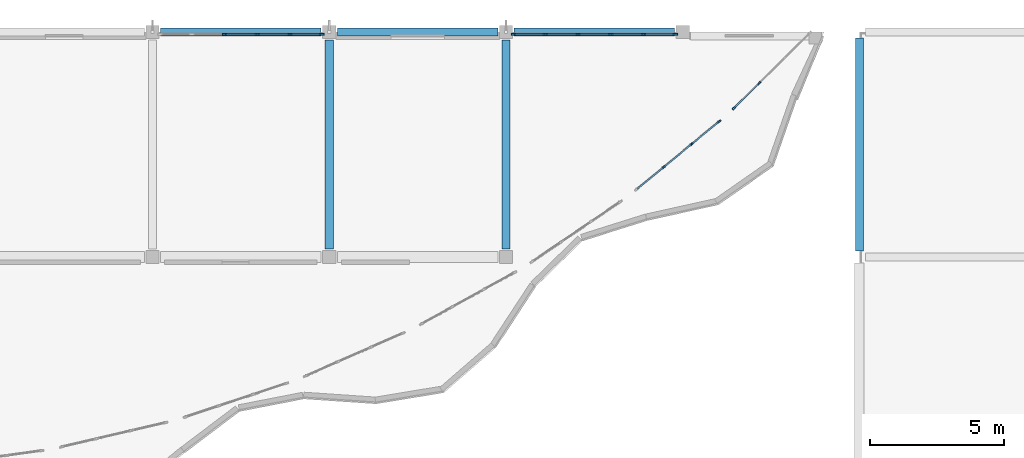
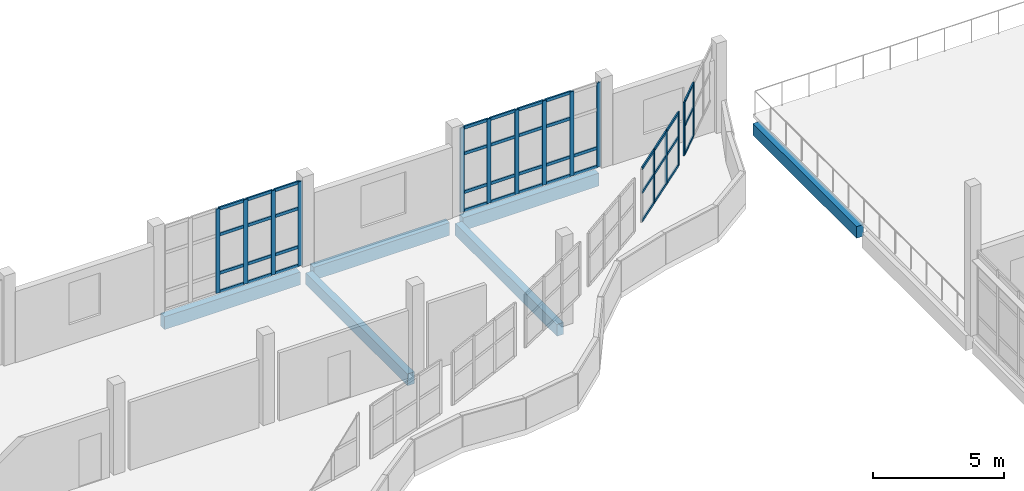
# One storey, part 37 of 78: 57 members, 6 beams, 4 elements without a shape of their own.
"""IFC4 building model written with IfcOpenShell, lengths in metres."""

from ifc_helpers import new_model, si_unit, direction, frame, origin, origin_2d, place, context, subcontext, project, spatial, rectangle, extrude, material, material_profile, profile_set, type_object, element, aggregate, save


model = new_model("IFC4")

# Units and contexts
model_context = context("Model", 3, precision=1e-05, world=origin(), true_north=direction((0.0, 1.0)))
body_context = subcontext(model_context, "Body", "Model", "MODEL_VIEW")
ifc_project = project(units=[si_unit("LENGTHUNIT", "METRE"), si_unit("AREAUNIT", "SQUARE_METRE"), si_unit("VOLUMEUNIT", "CUBIC_METRE"), si_unit("PLANEANGLEUNIT", "RADIAN"), si_unit("MASSUNIT", "GRAM", prefix="KILO")], contexts=[model_context])

# Site, building, storey
site_placement = place(None, origin())
site = spatial("IfcSite", under=ifc_project, at=site_placement, CompositionType="ELEMENT")
building_placement = place(site_placement, origin())
building = spatial("IfcBuilding", under=site, at=building_placement, Name="Qaldarim Faculty of Natural and Applied Sciences", CompositionType="ELEMENT")
storey_placement = place(building_placement, frame((0.0, 0.0, 18.60009765625)))
storey = spatial("IfcBuildingStorey", under=building, at=storey_placement, Name="L04", CompositionType="ELEMENT", Elevation=18.60009765625)

# Beams
ifc_material_1 = material(Name="Concrete C40/50", Category="concrete")
ifc_material_profile_1 = material_profile(ifc_material_1, rectangle(XDim=0.300048828125, YDim=0.550048828125, at=origin_2d()), Name="RC-B300x550")
ifc_profile_set_1 = profile_set([ifc_material_profile_1], Name="Concrete C40/50")
beam_type_1 = type_object("IfcBeamType", Name="FloorBeam-RC300x550", PredefinedType="BEAM", material=ifc_profile_set_1)
for number, where, z_axis, x_axis, name in (
    (1, (132.0, 109.5, -0.53515625), (0.0, 1.0, 0.0), (-1.0, 0.0, 0.0), "Beam RC-B300x550 L03 X21/Y14-Y15"),
    (2, (138.60009765625, 109.5, -0.53515625), (0.0, 1.0, 0.0), (-1.0, 0.0, 0.0), "Beam RC-B300x550 L03 X22/Y14-Y15"),
):
    element("IfcBeam", number, at=place(storey_placement, frame(where, z_axis=z_axis, x_axis=x_axis)), inside=storey, type_object=beam_type_1, Name=name, PredefinedType="BEAM", context=body_context, shape_type="SweptSolid", body=[
        extrude(rectangle(XDim=0.300048828125, YDim=0.550048828125, at=origin_2d()), origin(), (0.0, 0.0, 1.0), 7.800048828125),
    ])
beam_placement = place(storey_placement, frame((151.800048828125, 109.425048828125, -0.53515625), z_axis=(0.0, 1.0, 0.0), x_axis=(-1.0, 0.0, 0.0)))
element("IfcBeam", 3, at=beam_placement, inside=storey, type_object=beam_type_1, Name="Beam RC-B300x550 L03 X24/Y14-Y15", PredefinedType="BEAM", context=body_context, shape_type="SweptSolid", body=[
    extrude(rectangle(XDim=0.300048828125, YDim=0.550048828125, at=origin_2d()), origin(), (0.0, 0.0, 1.0), 7.949951171875),
])

# Curtain wall, members
ifc_material_2 = material(Name="Anodised aluminium AW-6063", Category="aluminium")
curtain_wall_type_1 = type_object("IfcCurtainWallType", Name="CurtainWallSystem-M1400", PredefinedType="USERDEFINED", material=ifc_material_2)
curtain_wall_1_placement = place(storey_placement, origin())
curtain_wall_1 = element("IfcCurtainWall", 4, at=curtain_wall_1_placement, inside=storey, type_object=curtain_wall_type_1, Name="Curtain wall CW-V4ARC-L04-14", ObjectType="STICK CURTAIN WALL", PredefinedType="USERDEFINED")
ifc_material_profile_2 = material_profile(ifc_material_2, rectangle(XDim=0.06005859375, YDim=0.14990234375, at=origin_2d()), Name="ALU-M60x150")
ifc_profile_set_2 = profile_set([ifc_material_profile_2], Name="Anodised aluminium AW-6063")
member_type_1 = type_object("IfcMemberType", Name="Mullion-ALU60x150", PredefinedType="MULLION", material=ifc_profile_set_2)
member_1_placement = place(storey_placement, frame((144.49658203125, 112.558349609375, 1.449951171875), z_axis=(0.0, 0.0, 1.0), x_axis=(-0.635930067271, 0.771746687418, 0.0)))
member_1 = element("IfcMember", 5, at=member_1_placement, type_object=member_type_1, Name="Mullion 2 of CW-V4ARC-L04-14", PredefinedType="MULLION", context=body_context, shape_type="SweptSolid", body=[
    extrude(rectangle(XDim=0.06005859375, YDim=0.14990234375, at=origin_2d()), origin(), (0.0, 0.0, 1.0), 2.489990234375),
])
member_2_placement = place(storey_placement, frame((145.538330078125, 113.416748046875, 1.449951171875), z_axis=(0.0, 0.0, 1.0), x_axis=(-0.635930067271, 0.771746687418, 0.0)))
member_2 = element("IfcMember", 6, at=member_2_placement, type_object=member_type_1, Name="Mullion 3 of CW-V4ARC-L04-14", PredefinedType="MULLION", context=body_context, shape_type="SweptSolid", body=[
    extrude(rectangle(XDim=0.06005859375, YDim=0.14990234375, at=origin_2d()), origin(), (0.0, 0.0, 1.0), 2.489990234375),
])
member_3_placement = place(storey_placement, frame((146.556884765625, 114.255859375, 1.449951171875), z_axis=(0.0, 0.0, 1.0), x_axis=(-0.635930067271, 0.771746687418, 0.0)))
member_3 = element("IfcMember", 7, at=member_3_placement, type_object=member_type_1, Name="Mullion 4 of CW-V4ARC-L04-14", PredefinedType="MULLION", context=body_context, shape_type="SweptSolid", body=[
    extrude(rectangle(XDim=0.06005859375, YDim=0.14990234375, at=origin_2d()), origin(), (0.0, 0.0, 1.0), 2.489990234375),
])

curtain_wall_2_placement = place(storey_placement, origin())
curtain_wall_2 = element("IfcCurtainWall", 8, at=curtain_wall_2_placement, inside=storey, type_object=curtain_wall_type_1, Name="Curtain wall CW-V4ARC-L04-16", ObjectType="STICK CURTAIN WALL", PredefinedType="USERDEFINED")
member_4_placement = place(storey_placement, frame((147.1162109375, 114.760986328125, 1.449951171875), z_axis=(0.0, 0.0, 1.0), x_axis=(-0.704014724456, 0.710185375623, 0.0)))
member_4 = element("IfcMember", 9, at=member_4_placement, type_object=member_type_1, Name="Mullion 1 of CW-V4ARC-L04-16", PredefinedType="MULLION", context=body_context, shape_type="SweptSolid", body=[
    extrude(rectangle(XDim=0.06005859375, YDim=0.14990234375, at=origin_2d()), origin(), (0.0, 0.0, 1.0), 2.489990234375),
])
member_5_placement = place(storey_placement, frame((148.05322265625, 115.68994140625, 1.449951171875), z_axis=(0.0, 0.0, 1.0), x_axis=(-0.704014724456, 0.710185375623, 0.0)))
member_5 = element("IfcMember", 10, at=member_5_placement, type_object=member_type_1, Name="Mullion 2 of CW-V4ARC-L04-16", PredefinedType="MULLION", context=body_context, shape_type="SweptSolid", body=[
    extrude(rectangle(XDim=0.06005859375, YDim=0.14990234375, at=origin_2d()), origin(), (0.0, 0.0, 1.0), 2.489990234375),
])

curtain_wall_type_2 = type_object("IfcCurtainWallType", Name="CurtainWallSystem-M1200", PredefinedType="USERDEFINED", material=ifc_material_2)
curtain_wall_3_placement = place(storey_placement, origin())
curtain_wall_3 = element("IfcCurtainWall", 11, at=curtain_wall_3_placement, inside=storey, type_object=curtain_wall_type_2, Name="Curtain wall CW-L04-N-X20Y14", ObjectType="STICK CURTAIN WALL", PredefinedType="USERDEFINED")
ifc_material_profile_3 = material_profile(ifc_material_2, rectangle(XDim=0.070068359375, YDim=0.179931640625, at=origin_2d()), Name="ALU-M70x180")
ifc_profile_set_3 = profile_set([ifc_material_profile_3], Name="Anodised aluminium AW-6063")
member_type_2 = type_object("IfcMemberType", Name="Mullion-ALU70x180", PredefinedType="MULLION", material=ifc_profile_set_3)
member_6_placement = place(storey_placement, frame((131.719970703125, 117.52001953125, 0.0), z_axis=(0.0, 0.0, 1.0), x_axis=(0.0, -1.0, 0.0)))
member_6 = element("IfcMember", 12, at=member_6_placement, type_object=member_type_2, Name="Mullion 1 of CW-L04-N-X20Y14", PredefinedType="MULLION", context=body_context, shape_type="SweptSolid", body=[
    extrude(rectangle(XDim=0.070068359375, YDim=0.179931640625, at=origin_2d()), origin(), (0.0, 0.0, 1.0), 3.93994140625),
])
member_7_placement = place(storey_placement, frame((130.532958984375, 117.52001953125, 0.0), z_axis=(0.0, 0.0, 1.0), x_axis=(0.0, -1.0, 0.0)))
member_7 = element("IfcMember", 13, at=member_7_placement, type_object=member_type_2, Name="Mullion 2 of CW-L04-N-X20Y14", PredefinedType="MULLION", context=body_context, shape_type="SweptSolid", body=[
    extrude(rectangle(XDim=0.070068359375, YDim=0.179931640625, at=origin_2d()), origin(), (0.0, 0.0, 1.0), 3.93994140625),
])
member_8_placement = place(storey_placement, frame((129.31103515625, 117.52001953125, 0.0), z_axis=(0.0, 0.0, 1.0), x_axis=(0.0, -1.0, 0.0)))
member_8 = element("IfcMember", 14, at=member_8_placement, type_object=member_type_2, Name="Mullion 3 of CW-L04-N-X20Y14", PredefinedType="MULLION", context=body_context, shape_type="SweptSolid", body=[
    extrude(rectangle(XDim=0.070068359375, YDim=0.179931640625, at=origin_2d()), origin(), (0.0, 0.0, 1.0), 3.93994140625),
])
member_9_placement = place(storey_placement, frame((128.089111328125, 117.52001953125, 0.0), z_axis=(0.0, 0.0, 1.0), x_axis=(0.0, -1.0, 0.0)))
member_9 = element("IfcMember", 15, at=member_9_placement, type_object=member_type_2, Name="Mullion 4 of CW-L04-N-X20Y14", PredefinedType="MULLION", context=body_context, shape_type="SweptSolid", body=[
    extrude(rectangle(XDim=0.070068359375, YDim=0.179931640625, at=origin_2d()), origin(), (0.0, 0.0, 1.0), 3.93994140625),
])

curtain_wall_4_placement = place(storey_placement, origin())
curtain_wall_4 = element("IfcCurtainWall", 16, at=curtain_wall_4_placement, inside=storey, type_object=curtain_wall_type_2, Name="Curtain wall CW-L04-N-X22Y14", ObjectType="STICK CURTAIN WALL", PredefinedType="USERDEFINED")
member_10_placement = place(storey_placement, frame((144.919921875, 117.52001953125, 0.0), z_axis=(0.0, 0.0, 1.0), x_axis=(0.0, -1.0, 0.0)))
member_10 = element("IfcMember", 17, at=member_10_placement, type_object=member_type_2, Name="Mullion 1 of CW-L04-N-X22Y14", PredefinedType="MULLION", context=body_context, shape_type="SweptSolid", body=[
    extrude(rectangle(XDim=0.070068359375, YDim=0.179931640625, at=origin_2d()), origin(), (0.0, 0.0, 1.0), 3.93994140625),
])
member_11_placement = place(storey_placement, frame((143.73291015625, 117.52001953125, 0.0), z_axis=(0.0, 0.0, 1.0), x_axis=(0.0, -1.0, 0.0)))
member_11 = element("IfcMember", 18, at=member_11_placement, type_object=member_type_2, Name="Mullion 2 of CW-L04-N-X22Y14", PredefinedType="MULLION", context=body_context, shape_type="SweptSolid", body=[
    extrude(rectangle(XDim=0.070068359375, YDim=0.179931640625, at=origin_2d()), origin(), (0.0, 0.0, 1.0), 3.93994140625),
])
member_12_placement = place(storey_placement, frame((142.510986328125, 117.52001953125, 0.0), z_axis=(0.0, 0.0, 1.0), x_axis=(0.0, -1.0, 0.0)))
member_12 = element("IfcMember", 19, at=member_12_placement, type_object=member_type_2, Name="Mullion 3 of CW-L04-N-X22Y14", PredefinedType="MULLION", context=body_context, shape_type="SweptSolid", body=[
    extrude(rectangle(XDim=0.070068359375, YDim=0.179931640625, at=origin_2d()), origin(), (0.0, 0.0, 1.0), 3.93994140625),
])
member_13_placement = place(storey_placement, frame((141.2890625, 117.52001953125, 0.0), z_axis=(0.0, 0.0, 1.0), x_axis=(0.0, -1.0, 0.0)))
member_13 = element("IfcMember", 20, at=member_13_placement, type_object=member_type_2, Name="Mullion 4 of CW-L04-N-X22Y14", PredefinedType="MULLION", context=body_context, shape_type="SweptSolid", body=[
    extrude(rectangle(XDim=0.070068359375, YDim=0.179931640625, at=origin_2d()), origin(), (0.0, 0.0, 1.0), 3.93994140625),
])
member_14_placement = place(storey_placement, frame((140.06689453125, 117.52001953125, 0.0), z_axis=(0.0, 0.0, 1.0), x_axis=(0.0, -1.0, 0.0)))
member_14 = element("IfcMember", 21, at=member_14_placement, type_object=member_type_2, Name="Mullion 5 of CW-L04-N-X22Y14", PredefinedType="MULLION", context=body_context, shape_type="SweptSolid", body=[
    extrude(rectangle(XDim=0.070068359375, YDim=0.179931640625, at=origin_2d()), origin(), (0.0, 0.0, 1.0), 3.93994140625),
])
member_15_placement = place(storey_placement, frame((138.8798828125, 117.52001953125, 0.0), z_axis=(0.0, 0.0, 1.0), x_axis=(0.0, -1.0, 0.0)))
member_15 = element("IfcMember", 22, at=member_15_placement, type_object=member_type_2, Name="Mullion 6 of CW-L04-N-X22Y14", PredefinedType="MULLION", context=body_context, shape_type="SweptSolid", body=[
    extrude(rectangle(XDim=0.070068359375, YDim=0.179931640625, at=origin_2d()), origin(), (0.0, 0.0, 1.0), 3.93994140625),
])

# Beams
ifc_material_3 = material(Name="Precast concrete C40/50", Category="concrete")
ifc_material_profile_4 = material_profile(ifc_material_3, rectangle(XDim=0.300048828125, YDim=0.60009765625, at=origin_2d()), Name="RC-SP300x600")
ifc_profile_set_4 = profile_set([ifc_material_profile_4], Name="Precast concrete C40/50")
beam_type_2 = type_object("IfcBeamType", Name="SpandrelBeam-RC300x600", PredefinedType="SPANDREL", material=ifc_profile_set_4)
for number, where, z_axis, x_axis, name in (
    (23, (125.699951171875, 117.60009765625, -0.56005859375), (1.0, 0.0, 0.0), (0.0, 1.0, 0.0), "Beam RC-SP300x600 L03 X20-X21/Y15"),
    (24, (132.300048828125, 117.60009765625, -0.56005859375), (1.0, 0.0, 0.0), (0.0, 1.0, 0.0), "Beam RC-SP300x600 L03 X21-X22/Y15"),
    (25, (138.89990234375, 117.60009765625, -0.56005859375), (1.0, 0.0, 0.0), (0.0, 1.0, 0.0), "Beam RC-SP300x600 L03 X22-X23/Y15"),
):
    element("IfcBeam", number, at=place(storey_placement, frame(where, z_axis=z_axis, x_axis=x_axis)), inside=storey, type_object=beam_type_2, Name=name, PredefinedType="SPANDREL", context=body_context, shape_type="SweptSolid", body=[
        extrude(rectangle(XDim=0.300048828125, YDim=0.60009765625, at=origin_2d()), origin(), (0.0, 0.0, 1.0), 6.0),
    ])

# Member
ifc_material_profile_5 = material_profile(ifc_material_2, rectangle(XDim=0.06005859375, YDim=0.1201171875, at=origin_2d()), Name="ALU-T60x120")
ifc_profile_set_5 = profile_set([ifc_material_profile_5], Name="Anodised aluminium AW-6063")
member_type_3 = type_object("IfcMemberType", Name="Transom-ALU60x120", PredefinedType="USERDEFINED", material=ifc_profile_set_5)
member_16_placement = place(storey_placement, frame((143.501220703125, 111.73828125, 1.47998046875), z_axis=(0.77176796605, 0.635904243247, 0.0), x_axis=(-0.635904243247, 0.77176796605, 0.0)))
member_16 = element("IfcMember", 26, at=member_16_placement, type_object=member_type_3, Name="Transom 1-1 of CW-V4ARC-L04-14", ObjectType="TRANSOM", PredefinedType="USERDEFINED", context=body_context, shape_type="SweptSolid", body=[
    extrude(rectangle(XDim=0.06005859375, YDim=0.1201171875, at=origin_2d()), origin(), (0.0, 0.0, 1.0), 1.259765625),
])

member_17_placement = place(storey_placement, frame((143.501220703125, 111.73828125, 2.7998046875), z_axis=(0.77176796605, 0.635904243247, 0.0), x_axis=(-0.635904243247, 0.77176796605, 0.0)))
member_17 = element("IfcMember", 27, at=member_17_placement, type_object=member_type_3, Name="Transom 1-2 of CW-V4ARC-L04-14", ObjectType="TRANSOM", PredefinedType="USERDEFINED", context=body_context, shape_type="SweptSolid", body=[
    extrude(rectangle(XDim=0.06005859375, YDim=0.1201171875, at=origin_2d()), origin(), (0.0, 0.0, 1.0), 1.259765625),
])

member_18_placement = place(storey_placement, frame((143.501220703125, 111.73828125, 3.909912109375), z_axis=(0.77176796605, 0.635904243247, 0.0), x_axis=(-0.635904243247, 0.77176796605, 0.0)))
member_18 = element("IfcMember", 28, at=member_18_placement, type_object=member_type_3, Name="Transom 1-3 of CW-V4ARC-L04-14", ObjectType="TRANSOM", PredefinedType="USERDEFINED", context=body_context, shape_type="SweptSolid", body=[
    extrude(rectangle(XDim=0.06005859375, YDim=0.1201171875, at=origin_2d()), origin(), (0.0, 0.0, 1.0), 1.259765625),
])

member_19_placement = place(storey_placement, frame((144.519775390625, 112.577392578125, 1.47998046875), z_axis=(0.771700705887, 0.635985865043, 0.0), x_axis=(-0.635985865043, 0.771700705887, 0.0)))
member_19 = element("IfcMember", 29, at=member_19_placement, type_object=member_type_3, Name="Transom 2-1 of CW-V4ARC-L04-14", ObjectType="TRANSOM", PredefinedType="USERDEFINED", context=body_context, shape_type="SweptSolid", body=[
    extrude(rectangle(XDim=0.06005859375, YDim=0.1201171875, at=origin_2d()), origin(), (0.0, 0.0, 1.0), 1.289794921875),
])

member_20_placement = place(storey_placement, frame((144.519775390625, 112.577392578125, 2.7998046875), z_axis=(0.771700705887, 0.635985865043, 0.0), x_axis=(-0.635985865043, 0.771700705887, 0.0)))
member_20 = element("IfcMember", 30, at=member_20_placement, type_object=member_type_3, Name="Transom 2-2 of CW-V4ARC-L04-14", ObjectType="TRANSOM", PredefinedType="USERDEFINED", context=body_context, shape_type="SweptSolid", body=[
    extrude(rectangle(XDim=0.06005859375, YDim=0.1201171875, at=origin_2d()), origin(), (0.0, 0.0, 1.0), 1.289794921875),
])

member_21_placement = place(storey_placement, frame((144.519775390625, 112.577392578125, 3.909912109375), z_axis=(0.771700705887, 0.635985865043, 0.0), x_axis=(-0.635985865043, 0.771700705887, 0.0)))
member_21 = element("IfcMember", 31, at=member_21_placement, type_object=member_type_3, Name="Transom 2-3 of CW-V4ARC-L04-14", ObjectType="TRANSOM", PredefinedType="USERDEFINED", context=body_context, shape_type="SweptSolid", body=[
    extrude(rectangle(XDim=0.06005859375, YDim=0.1201171875, at=origin_2d()), origin(), (0.0, 0.0, 1.0), 1.289794921875),
])

member_22_placement = place(storey_placement, frame((145.5615234375, 113.435791015625, 1.47998046875), z_axis=(0.77176796605, 0.635904243247, 0.0), x_axis=(-0.635904243247, 0.77176796605, 0.0)))
member_22 = element("IfcMember", 32, at=member_22_placement, type_object=member_type_3, Name="Transom 3-1 of CW-V4ARC-L04-14", ObjectType="TRANSOM", PredefinedType="USERDEFINED", context=body_context, shape_type="SweptSolid", body=[
    extrude(rectangle(XDim=0.06005859375, YDim=0.1201171875, at=origin_2d()), origin(), (0.0, 0.0, 1.0), 1.259765625),
])

member_23_placement = place(storey_placement, frame((145.5615234375, 113.435791015625, 2.7998046875), z_axis=(0.77176796605, 0.635904243247, 0.0), x_axis=(-0.635904243247, 0.77176796605, 0.0)))
member_23 = element("IfcMember", 33, at=member_23_placement, type_object=member_type_3, Name="Transom 3-2 of CW-V4ARC-L04-14", ObjectType="TRANSOM", PredefinedType="USERDEFINED", context=body_context, shape_type="SweptSolid", body=[
    extrude(rectangle(XDim=0.06005859375, YDim=0.1201171875, at=origin_2d()), origin(), (0.0, 0.0, 1.0), 1.259765625),
])

member_24_placement = place(storey_placement, frame((145.5615234375, 113.435791015625, 3.909912109375), z_axis=(0.77176796605, 0.635904243247, 0.0), x_axis=(-0.635904243247, 0.77176796605, 0.0)))
member_24 = element("IfcMember", 34, at=member_24_placement, type_object=member_type_3, Name="Transom 3-3 of CW-V4ARC-L04-14", ObjectType="TRANSOM", PredefinedType="USERDEFINED", context=body_context, shape_type="SweptSolid", body=[
    extrude(rectangle(XDim=0.06005859375, YDim=0.1201171875, at=origin_2d()), origin(), (0.0, 0.0, 1.0), 1.259765625),
])

aggregate(curtain_wall_1, [member_1, member_2, member_3, member_16, member_17, member_18, member_19, member_20, member_21, member_22, member_23, member_24])

member_25_placement = place(storey_placement, frame((147.1376953125, 114.7822265625, 1.47998046875), z_axis=(0.71010520996, 0.704095583559, 0.0), x_axis=(-0.704095583559, 0.71010520996, 0.0)))
member_25 = element("IfcMember", 35, at=member_25_placement, type_object=member_type_3, Name="Transom 1-1 of CW-V4ARC-L04-16", ObjectType="TRANSOM", PredefinedType="USERDEFINED", context=body_context, shape_type="SweptSolid", body=[
    extrude(rectangle(XDim=0.06005859375, YDim=0.1201171875, at=origin_2d()), origin(), (0.0, 0.0, 1.0), 1.25927734375),
])

member_26_placement = place(storey_placement, frame((147.1376953125, 114.7822265625, 2.7998046875), z_axis=(0.71010520996, 0.704095583559, 0.0), x_axis=(-0.704095583559, 0.71010520996, 0.0)))
member_26 = element("IfcMember", 36, at=member_26_placement, type_object=member_type_3, Name="Transom 1-2 of CW-V4ARC-L04-16", ObjectType="TRANSOM", PredefinedType="USERDEFINED", context=body_context, shape_type="SweptSolid", body=[
    extrude(rectangle(XDim=0.06005859375, YDim=0.1201171875, at=origin_2d()), origin(), (0.0, 0.0, 1.0), 1.25927734375),
])

member_27_placement = place(storey_placement, frame((147.1376953125, 114.7822265625, 3.909912109375), z_axis=(0.71010520996, 0.704095583559, 0.0), x_axis=(-0.704095583559, 0.71010520996, 0.0)))
member_27 = element("IfcMember", 37, at=member_27_placement, type_object=member_type_3, Name="Transom 1-3 of CW-V4ARC-L04-16", ObjectType="TRANSOM", PredefinedType="USERDEFINED", context=body_context, shape_type="SweptSolid", body=[
    extrude(rectangle(XDim=0.06005859375, YDim=0.1201171875, at=origin_2d()), origin(), (0.0, 0.0, 1.0), 1.25927734375),
])

aggregate(curtain_wall_2, [member_4, member_5, member_25, member_26, member_27])

ifc_material_profile_6 = material_profile(ifc_material_2, rectangle(XDim=0.070068359375, YDim=0.139892578125, at=origin_2d()), Name="ALU-T70x140")
ifc_profile_set_6 = profile_set([ifc_material_profile_6], Name="Anodised aluminium AW-6063")
member_type_4 = type_object("IfcMemberType", Name="Transom-ALU70x140", PredefinedType="USERDEFINED", material=ifc_profile_set_6)
member_28_placement = place(storey_placement, frame((131.68505859375, 117.52001953125, 0.034912109375), z_axis=(-1.0, 0.0, 0.0), x_axis=(0.0, -1.0, 0.0)))
member_28 = element("IfcMember", 38, at=member_28_placement, type_object=member_type_4, Name="Transom 1-1 of CW-L04-N-X20Y14", ObjectType="TRANSOM", PredefinedType="USERDEFINED", context=body_context, shape_type="SweptSolid", body=[
    extrude(rectangle(XDim=0.070068359375, YDim=0.139892578125, at=origin_2d()), origin(), (0.0, 0.0, 1.0), 1.116943359375),
])

member_29_placement = place(storey_placement, frame((131.68505859375, 117.52001953125, 0.89990234375), z_axis=(-1.0, 0.0, 0.0), x_axis=(0.0, -1.0, 0.0)))
member_29 = element("IfcMember", 39, at=member_29_placement, type_object=member_type_4, Name="Transom 1-2 of CW-L04-N-X20Y14", ObjectType="TRANSOM", PredefinedType="USERDEFINED", context=body_context, shape_type="SweptSolid", body=[
    extrude(rectangle(XDim=0.070068359375, YDim=0.139892578125, at=origin_2d()), origin(), (0.0, 0.0, 1.0), 1.116943359375),
])

member_30_placement = place(storey_placement, frame((131.68505859375, 117.52001953125, 2.699951171875), z_axis=(-1.0, 0.0, 0.0), x_axis=(0.0, -1.0, 0.0)))
member_30 = element("IfcMember", 40, at=member_30_placement, type_object=member_type_4, Name="Transom 1-3 of CW-L04-N-X20Y14", ObjectType="TRANSOM", PredefinedType="USERDEFINED", context=body_context, shape_type="SweptSolid", body=[
    extrude(rectangle(XDim=0.070068359375, YDim=0.139892578125, at=origin_2d()), origin(), (0.0, 0.0, 1.0), 1.116943359375),
])

member_31_placement = place(storey_placement, frame((131.68505859375, 117.52001953125, 3.90478515625), z_axis=(-1.0, 0.0, 0.0), x_axis=(0.0, -1.0, 0.0)))
member_31 = element("IfcMember", 41, at=member_31_placement, type_object=member_type_4, Name="Transom 1-4 of CW-L04-N-X20Y14", ObjectType="TRANSOM", PredefinedType="USERDEFINED", context=body_context, shape_type="SweptSolid", body=[
    extrude(rectangle(XDim=0.070068359375, YDim=0.139892578125, at=origin_2d()), origin(), (0.0, 0.0, 1.0), 1.116943359375),
])

member_32_placement = place(storey_placement, frame((130.498046875, 117.52001953125, 0.034912109375), z_axis=(-1.0, 0.0, 0.0), x_axis=(0.0, -1.0, 0.0)))
member_32 = element("IfcMember", 42, at=member_32_placement, type_object=member_type_4, Name="Transom 2-1 of CW-L04-N-X20Y14", ObjectType="TRANSOM", PredefinedType="USERDEFINED", context=body_context, shape_type="SweptSolid", body=[
    extrude(rectangle(XDim=0.070068359375, YDim=0.139892578125, at=origin_2d()), origin(), (0.0, 0.0, 1.0), 1.152099609375),
])

member_33_placement = place(storey_placement, frame((130.498046875, 117.52001953125, 0.89990234375), z_axis=(-1.0, 0.0, 0.0), x_axis=(0.0, -1.0, 0.0)))
member_33 = element("IfcMember", 43, at=member_33_placement, type_object=member_type_4, Name="Transom 2-2 of CW-L04-N-X20Y14", ObjectType="TRANSOM", PredefinedType="USERDEFINED", context=body_context, shape_type="SweptSolid", body=[
    extrude(rectangle(XDim=0.070068359375, YDim=0.139892578125, at=origin_2d()), origin(), (0.0, 0.0, 1.0), 1.152099609375),
])

member_34_placement = place(storey_placement, frame((130.498046875, 117.52001953125, 2.699951171875), z_axis=(-1.0, 0.0, 0.0), x_axis=(0.0, -1.0, 0.0)))
member_34 = element("IfcMember", 44, at=member_34_placement, type_object=member_type_4, Name="Transom 2-3 of CW-L04-N-X20Y14", ObjectType="TRANSOM", PredefinedType="USERDEFINED", context=body_context, shape_type="SweptSolid", body=[
    extrude(rectangle(XDim=0.070068359375, YDim=0.139892578125, at=origin_2d()), origin(), (0.0, 0.0, 1.0), 1.152099609375),
])

member_35_placement = place(storey_placement, frame((130.498046875, 117.52001953125, 3.90478515625), z_axis=(-1.0, 0.0, 0.0), x_axis=(0.0, -1.0, 0.0)))
member_35 = element("IfcMember", 45, at=member_35_placement, type_object=member_type_4, Name="Transom 2-4 of CW-L04-N-X20Y14", ObjectType="TRANSOM", PredefinedType="USERDEFINED", context=body_context, shape_type="SweptSolid", body=[
    extrude(rectangle(XDim=0.070068359375, YDim=0.139892578125, at=origin_2d()), origin(), (0.0, 0.0, 1.0), 1.152099609375),
])

member_36_placement = place(storey_placement, frame((129.27587890625, 117.52001953125, 0.034912109375), z_axis=(-1.0, 0.0, 0.0), x_axis=(0.0, -1.0, 0.0)))
member_36 = element("IfcMember", 46, at=member_36_placement, type_object=member_type_4, Name="Transom 3-1 of CW-L04-N-X20Y14", ObjectType="TRANSOM", PredefinedType="USERDEFINED", context=body_context, shape_type="SweptSolid", body=[
    extrude(rectangle(XDim=0.070068359375, YDim=0.139892578125, at=origin_2d()), origin(), (0.0, 0.0, 1.0), 1.15185546875),
])

member_37_placement = place(storey_placement, frame((129.27587890625, 117.52001953125, 0.89990234375), z_axis=(-1.0, 0.0, 0.0), x_axis=(0.0, -1.0, 0.0)))
member_37 = element("IfcMember", 47, at=member_37_placement, type_object=member_type_4, Name="Transom 3-2 of CW-L04-N-X20Y14", ObjectType="TRANSOM", PredefinedType="USERDEFINED", context=body_context, shape_type="SweptSolid", body=[
    extrude(rectangle(XDim=0.070068359375, YDim=0.139892578125, at=origin_2d()), origin(), (0.0, 0.0, 1.0), 1.15185546875),
])

member_38_placement = place(storey_placement, frame((129.27587890625, 117.52001953125, 2.699951171875), z_axis=(-1.0, 0.0, 0.0), x_axis=(0.0, -1.0, 0.0)))
member_38 = element("IfcMember", 48, at=member_38_placement, type_object=member_type_4, Name="Transom 3-3 of CW-L04-N-X20Y14", ObjectType="TRANSOM", PredefinedType="USERDEFINED", context=body_context, shape_type="SweptSolid", body=[
    extrude(rectangle(XDim=0.070068359375, YDim=0.139892578125, at=origin_2d()), origin(), (0.0, 0.0, 1.0), 1.15185546875),
])

member_39_placement = place(storey_placement, frame((129.27587890625, 117.52001953125, 3.90478515625), z_axis=(-1.0, 0.0, 0.0), x_axis=(0.0, -1.0, 0.0)))
member_39 = element("IfcMember", 49, at=member_39_placement, type_object=member_type_4, Name="Transom 3-4 of CW-L04-N-X20Y14", ObjectType="TRANSOM", PredefinedType="USERDEFINED", context=body_context, shape_type="SweptSolid", body=[
    extrude(rectangle(XDim=0.070068359375, YDim=0.139892578125, at=origin_2d()), origin(), (0.0, 0.0, 1.0), 1.15185546875),
])

aggregate(curtain_wall_3, [member_6, member_7, member_8, member_9, member_28, member_29, member_30, member_31, member_32, member_33, member_34, member_35, member_36, member_37, member_38, member_39])

member_40_placement = place(storey_placement, frame((144.885009765625, 117.52001953125, 0.034912109375), z_axis=(-1.0, 0.0, 0.0), x_axis=(0.0, -1.0, 0.0)))
member_40 = element("IfcMember", 50, at=member_40_placement, type_object=member_type_4, Name="Transom 1-1 of CW-L04-N-X22Y14", ObjectType="TRANSOM", PredefinedType="USERDEFINED", context=body_context, shape_type="SweptSolid", body=[
    extrude(rectangle(XDim=0.070068359375, YDim=0.139892578125, at=origin_2d()), origin(), (0.0, 0.0, 1.0), 1.116943359375),
])

member_41_placement = place(storey_placement, frame((144.885009765625, 117.52001953125, 0.89990234375), z_axis=(-1.0, 0.0, 0.0), x_axis=(0.0, -1.0, 0.0)))
member_41 = element("IfcMember", 51, at=member_41_placement, type_object=member_type_4, Name="Transom 1-2 of CW-L04-N-X22Y14", ObjectType="TRANSOM", PredefinedType="USERDEFINED", context=body_context, shape_type="SweptSolid", body=[
    extrude(rectangle(XDim=0.070068359375, YDim=0.139892578125, at=origin_2d()), origin(), (0.0, 0.0, 1.0), 1.116943359375),
])

member_42_placement = place(storey_placement, frame((143.697998046875, 117.52001953125, 0.034912109375), z_axis=(-1.0, 0.0, 0.0), x_axis=(0.0, -1.0, 0.0)))
member_42 = element("IfcMember", 52, at=member_42_placement, type_object=member_type_4, Name="Transom 2-1 of CW-L04-N-X22Y14", ObjectType="TRANSOM", PredefinedType="USERDEFINED", context=body_context, shape_type="SweptSolid", body=[
    extrude(rectangle(XDim=0.070068359375, YDim=0.139892578125, at=origin_2d()), origin(), (0.0, 0.0, 1.0), 1.152099609375),
])

member_43_placement = place(storey_placement, frame((143.697998046875, 117.52001953125, 0.89990234375), z_axis=(-1.0, 0.0, 0.0), x_axis=(0.0, -1.0, 0.0)))
member_43 = element("IfcMember", 53, at=member_43_placement, type_object=member_type_4, Name="Transom 2-2 of CW-L04-N-X22Y14", ObjectType="TRANSOM", PredefinedType="USERDEFINED", context=body_context, shape_type="SweptSolid", body=[
    extrude(rectangle(XDim=0.070068359375, YDim=0.139892578125, at=origin_2d()), origin(), (0.0, 0.0, 1.0), 1.152099609375),
])

member_44_placement = place(storey_placement, frame((143.697998046875, 117.52001953125, 2.699951171875), z_axis=(-1.0, 0.0, 0.0), x_axis=(0.0, -1.0, 0.0)))
member_44 = element("IfcMember", 54, at=member_44_placement, type_object=member_type_4, Name="Transom 2-3 of CW-L04-N-X22Y14", ObjectType="TRANSOM", PredefinedType="USERDEFINED", context=body_context, shape_type="SweptSolid", body=[
    extrude(rectangle(XDim=0.070068359375, YDim=0.139892578125, at=origin_2d()), origin(), (0.0, 0.0, 1.0), 1.152099609375),
])

member_45_placement = place(storey_placement, frame((143.697998046875, 117.52001953125, 3.90478515625), z_axis=(-1.0, 0.0, 0.0), x_axis=(0.0, -1.0, 0.0)))
member_45 = element("IfcMember", 55, at=member_45_placement, type_object=member_type_4, Name="Transom 2-4 of CW-L04-N-X22Y14", ObjectType="TRANSOM", PredefinedType="USERDEFINED", context=body_context, shape_type="SweptSolid", body=[
    extrude(rectangle(XDim=0.070068359375, YDim=0.139892578125, at=origin_2d()), origin(), (0.0, 0.0, 1.0), 1.152099609375),
])

member_46_placement = place(storey_placement, frame((142.47607421875, 117.52001953125, 0.034912109375), z_axis=(-1.0, 0.0, 0.0), x_axis=(0.0, -1.0, 0.0)))
member_46 = element("IfcMember", 56, at=member_46_placement, type_object=member_type_4, Name="Transom 3-1 of CW-L04-N-X22Y14", ObjectType="TRANSOM", PredefinedType="USERDEFINED", context=body_context, shape_type="SweptSolid", body=[
    extrude(rectangle(XDim=0.070068359375, YDim=0.139892578125, at=origin_2d()), origin(), (0.0, 0.0, 1.0), 1.152099609375),
])

member_47_placement = place(storey_placement, frame((142.47607421875, 117.52001953125, 0.89990234375), z_axis=(-1.0, 0.0, 0.0), x_axis=(0.0, -1.0, 0.0)))
member_47 = element("IfcMember", 57, at=member_47_placement, type_object=member_type_4, Name="Transom 3-2 of CW-L04-N-X22Y14", ObjectType="TRANSOM", PredefinedType="USERDEFINED", context=body_context, shape_type="SweptSolid", body=[
    extrude(rectangle(XDim=0.070068359375, YDim=0.139892578125, at=origin_2d()), origin(), (0.0, 0.0, 1.0), 1.152099609375),
])

member_48_placement = place(storey_placement, frame((142.47607421875, 117.52001953125, 2.699951171875), z_axis=(-1.0, 0.0, 0.0), x_axis=(0.0, -1.0, 0.0)))
member_48 = element("IfcMember", 58, at=member_48_placement, type_object=member_type_4, Name="Transom 3-3 of CW-L04-N-X22Y14", ObjectType="TRANSOM", PredefinedType="USERDEFINED", context=body_context, shape_type="SweptSolid", body=[
    extrude(rectangle(XDim=0.070068359375, YDim=0.139892578125, at=origin_2d()), origin(), (0.0, 0.0, 1.0), 1.152099609375),
])

member_49_placement = place(storey_placement, frame((142.47607421875, 117.52001953125, 3.90478515625), z_axis=(-1.0, 0.0, 0.0), x_axis=(0.0, -1.0, 0.0)))
member_49 = element("IfcMember", 59, at=member_49_placement, type_object=member_type_4, Name="Transom 3-4 of CW-L04-N-X22Y14", ObjectType="TRANSOM", PredefinedType="USERDEFINED", context=body_context, shape_type="SweptSolid", body=[
    extrude(rectangle(XDim=0.070068359375, YDim=0.139892578125, at=origin_2d()), origin(), (0.0, 0.0, 1.0), 1.152099609375),
])

member_50_placement = place(storey_placement, frame((141.25390625, 117.52001953125, 0.034912109375), z_axis=(-1.0, 0.0, 0.0), x_axis=(0.0, -1.0, 0.0)))
member_50 = element("IfcMember", 60, at=member_50_placement, type_object=member_type_4, Name="Transom 4-1 of CW-L04-N-X22Y14", ObjectType="TRANSOM", PredefinedType="USERDEFINED", context=body_context, shape_type="SweptSolid", body=[
    extrude(rectangle(XDim=0.070068359375, YDim=0.139892578125, at=origin_2d()), origin(), (0.0, 0.0, 1.0), 1.15185546875),
])

member_51_placement = place(storey_placement, frame((141.25390625, 117.52001953125, 0.89990234375), z_axis=(-1.0, 0.0, 0.0), x_axis=(0.0, -1.0, 0.0)))
member_51 = element("IfcMember", 61, at=member_51_placement, type_object=member_type_4, Name="Transom 4-2 of CW-L04-N-X22Y14", ObjectType="TRANSOM", PredefinedType="USERDEFINED", context=body_context, shape_type="SweptSolid", body=[
    extrude(rectangle(XDim=0.070068359375, YDim=0.139892578125, at=origin_2d()), origin(), (0.0, 0.0, 1.0), 1.15185546875),
])

member_52_placement = place(storey_placement, frame((141.25390625, 117.52001953125, 2.699951171875), z_axis=(-1.0, 0.0, 0.0), x_axis=(0.0, -1.0, 0.0)))
member_52 = element("IfcMember", 62, at=member_52_placement, type_object=member_type_4, Name="Transom 4-3 of CW-L04-N-X22Y14", ObjectType="TRANSOM", PredefinedType="USERDEFINED", context=body_context, shape_type="SweptSolid", body=[
    extrude(rectangle(XDim=0.070068359375, YDim=0.139892578125, at=origin_2d()), origin(), (0.0, 0.0, 1.0), 1.15185546875),
])

member_53_placement = place(storey_placement, frame((141.25390625, 117.52001953125, 3.90478515625), z_axis=(-1.0, 0.0, 0.0), x_axis=(0.0, -1.0, 0.0)))
member_53 = element("IfcMember", 63, at=member_53_placement, type_object=member_type_4, Name="Transom 4-4 of CW-L04-N-X22Y14", ObjectType="TRANSOM", PredefinedType="USERDEFINED", context=body_context, shape_type="SweptSolid", body=[
    extrude(rectangle(XDim=0.070068359375, YDim=0.139892578125, at=origin_2d()), origin(), (0.0, 0.0, 1.0), 1.15185546875),
])

member_54_placement = place(storey_placement, frame((140.031982421875, 117.52001953125, 0.034912109375), z_axis=(-1.0, 0.0, 0.0), x_axis=(0.0, -1.0, 0.0)))
member_54 = element("IfcMember", 64, at=member_54_placement, type_object=member_type_4, Name="Transom 5-1 of CW-L04-N-X22Y14", ObjectType="TRANSOM", PredefinedType="USERDEFINED", context=body_context, shape_type="SweptSolid", body=[
    extrude(rectangle(XDim=0.070068359375, YDim=0.139892578125, at=origin_2d()), origin(), (0.0, 0.0, 1.0), 1.116943359375),
])

member_55_placement = place(storey_placement, frame((140.031982421875, 117.52001953125, 0.89990234375), z_axis=(-1.0, 0.0, 0.0), x_axis=(0.0, -1.0, 0.0)))
member_55 = element("IfcMember", 65, at=member_55_placement, type_object=member_type_4, Name="Transom 5-2 of CW-L04-N-X22Y14", ObjectType="TRANSOM", PredefinedType="USERDEFINED", context=body_context, shape_type="SweptSolid", body=[
    extrude(rectangle(XDim=0.070068359375, YDim=0.139892578125, at=origin_2d()), origin(), (0.0, 0.0, 1.0), 1.116943359375),
])

member_56_placement = place(storey_placement, frame((140.031982421875, 117.52001953125, 2.699951171875), z_axis=(-1.0, 0.0, 0.0), x_axis=(0.0, -1.0, 0.0)))
member_56 = element("IfcMember", 66, at=member_56_placement, type_object=member_type_4, Name="Transom 5-3 of CW-L04-N-X22Y14", ObjectType="TRANSOM", PredefinedType="USERDEFINED", context=body_context, shape_type="SweptSolid", body=[
    extrude(rectangle(XDim=0.070068359375, YDim=0.139892578125, at=origin_2d()), origin(), (0.0, 0.0, 1.0), 1.116943359375),
])

member_57_placement = place(storey_placement, frame((140.031982421875, 117.52001953125, 3.90478515625), z_axis=(-1.0, 0.0, 0.0), x_axis=(0.0, -1.0, 0.0)))
member_57 = element("IfcMember", 67, at=member_57_placement, type_object=member_type_4, Name="Transom 5-4 of CW-L04-N-X22Y14", ObjectType="TRANSOM", PredefinedType="USERDEFINED", context=body_context, shape_type="SweptSolid", body=[
    extrude(rectangle(XDim=0.070068359375, YDim=0.139892578125, at=origin_2d()), origin(), (0.0, 0.0, 1.0), 1.116943359375),
])

aggregate(curtain_wall_4, [member_10, member_11, member_12, member_13, member_14, member_15, member_40, member_41, member_42, member_43, member_44, member_45, member_46, member_47, member_48, member_49, member_50, member_51, member_52, member_53, member_54, member_55, member_56, member_57])

save(model, "model.ifc")
